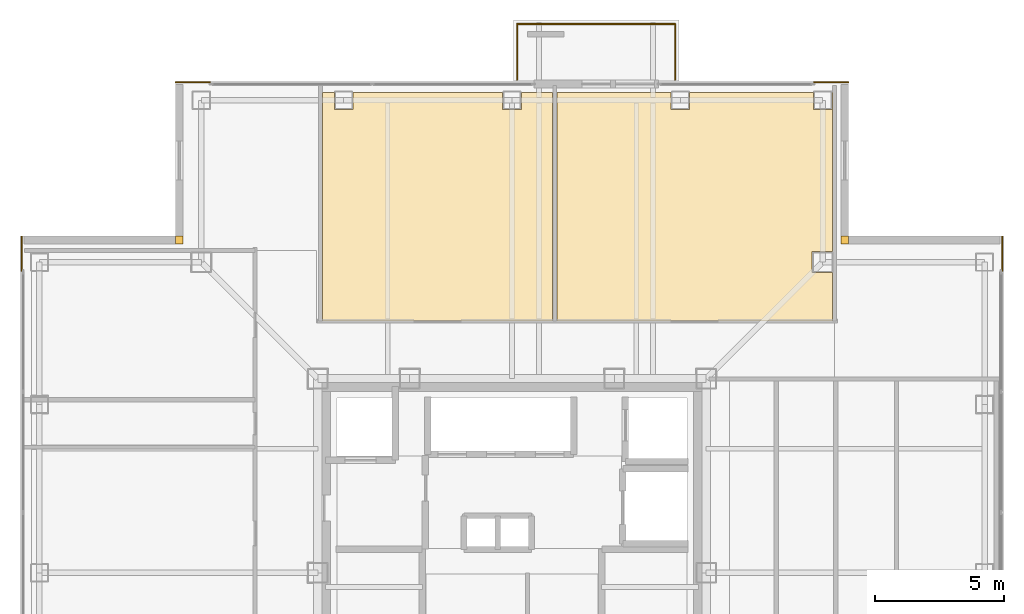
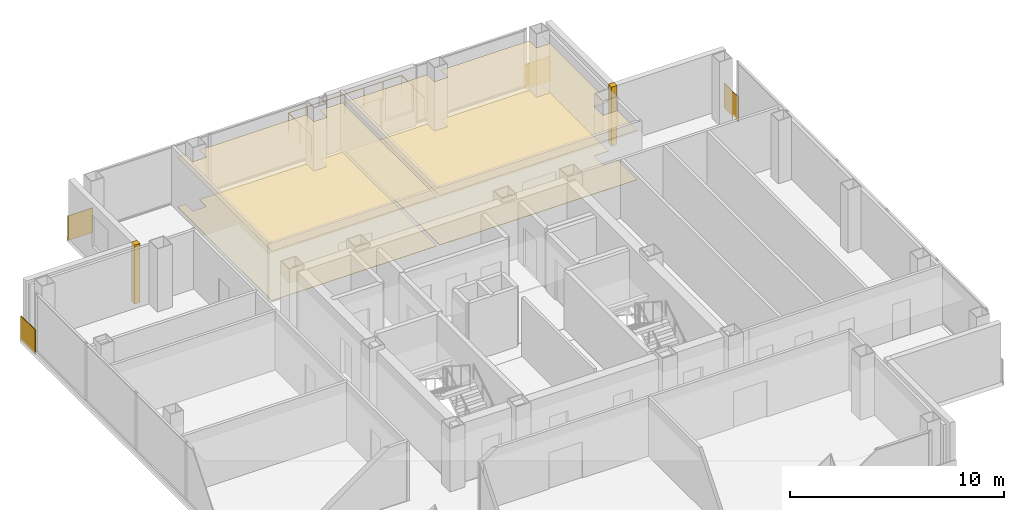
# One storey, part 15 of 15: 10 coverings, 3 railings.
"""IFC4 building model written with IfcOpenShell, lengths in metres."""

import ifcopenshell
import ifcopenshell.guid

model = None  # the IFC model being written
_history = None  # IfcOwnerHistory: only IFC2X3 demands one
_inside = {}  # id of a spatial element -> (the spatial element, [elements in it])
_under = {}  # id of a project, library or spatial element -> (it, [spatial elements below it])
_declared = {}  # id of a project -> (the project, [libraries it declares])
_typed = {}  # id of a type object -> (the type object, [elements of that type])
_made_of = {}  # id of a material, layer set ... -> (it, [elements and type objects made of it])


def new_model(schema):
    """Start an empty IFC model of exactly this schema.

    Asked for "IFC4X3", IfcOpenShell would pick the latest addendum, in which some entities
    have other attributes; the version numbers below select the first issue.
    IFC2X3 requires an IfcOwnerHistory on every rooted entity: one is made here for all.
    """
    global model, _history
    if schema == "IFC4X3":
        model = ifcopenshell.file(schema_version=(4, 3, 0, 0))
    else:
        model = ifcopenshell.file(schema=schema)
    _inside.clear()
    _under.clear()
    _declared.clear()
    _typed.clear()
    _made_of.clear()
    _history = None
    if model.schema == "IFC2X3":
        org = make("IfcOrganization", Name="unknown")
        user = make(
            "IfcPersonAndOrganization",
            ThePerson=make("IfcPerson", FamilyName="unknown"),
            TheOrganization=org,
        )
        app = make(
            "IfcApplication",
            ApplicationDeveloper=org,
            Version="unknown",
            ApplicationFullName="unknown",
            ApplicationIdentifier="unknown",
        )
        _history = make(
            "IfcOwnerHistory",
            OwningUser=user,
            OwningApplication=app,
            ChangeAction="ADDED",
            CreationDate=0,
        )
    return model


def make(cls, **values):
    """One entity of the class cls with the attributes given. An attribute that is None is left unset."""
    return model.create_entity(
        cls, **{name: value for name, value in values.items() if value is not None}
    )


def rooted(cls, **values):
    """An entity with a GlobalId (a new one), such as an element, a storey or a relation."""
    return make(cls, GlobalId=ifcopenshell.guid.new(), OwnerHistory=_history, **values)


def si_unit(unit_type, name, prefix=None):
    """IfcSIUnit, for example si_unit("LENGTHUNIT", "METRE", prefix="MILLI")."""
    return make("IfcSIUnit", UnitType=unit_type, Prefix=prefix, Name=name)


def assignment(units):
    """IfcUnitAssignment: the units of a project."""
    return None if units is None else make("IfcUnitAssignment", Units=units)


def point(xyz):
    """IfcCartesianPoint."""
    return None if xyz is None else make("IfcCartesianPoint", Coordinates=xyz)


def direction(xyz):
    """IfcDirection."""
    return None if xyz is None else make("IfcDirection", DirectionRatios=xyz)


def frame(location, z_axis=None, x_axis=None):
    """IfcAxis2Placement3D, a coordinate frame: its origin and axes. An axis left out is left unset."""
    return make(
        "IfcAxis2Placement3D",
        Location=point(location),
        Axis=direction(z_axis),
        RefDirection=direction(x_axis),
    )


def frame_2d(location, x_axis=None):
    """IfcAxis2Placement2D, a coordinate frame in the plane: its origin and x axis."""
    return make(
        "IfcAxis2Placement2D", Location=point(location), RefDirection=direction(x_axis)
    )


def origin():
    """The frame at (0, 0, 0) with its axes left unset."""
    return frame((0.0, 0.0, 0.0))


def origin_2d():
    """The frame at (0, 0) in the plane with its x axis left unset."""
    return frame_2d((0.0, 0.0))


def place(relative_to, where):
    """IfcLocalPlacement: puts the frame where relative to a parent placement (None: the world)."""
    return make(
        "IfcLocalPlacement", PlacementRelTo=relative_to, RelativePlacement=where
    )


def context(
    kind, dimensions, precision=None, world=None, true_north=None, identifier=None
):
    """IfcGeometricRepresentationContext, for example the 3D "Model" context."""
    return make(
        "IfcGeometricRepresentationContext",
        ContextIdentifier=identifier,
        ContextType=kind,
        CoordinateSpaceDimension=dimensions,
        Precision=precision,
        WorldCoordinateSystem=world,
        TrueNorth=true_north,
    )


def subcontext(parent, identifier, kind, view, scale=None):
    """IfcGeometricRepresentationSubContext, for example "Body" below "Model"."""
    return make(
        "IfcGeometricRepresentationSubContext",
        ContextIdentifier=identifier,
        ContextType=kind,
        ParentContext=parent,
        TargetScale=scale,
        TargetView=view,
    )


def project(units=None, contexts=None):
    """IfcProject with its units and contexts."""
    return rooted(
        "IfcProject",
        Name="project",
        RepresentationContexts=contexts,
        UnitsInContext=assignment(units),
    )


def spatial(cls, under=None, at=None, **own):
    """A site, building, storey or space (cls), placed at a placement, below another one or the project."""
    s = rooted(cls, ObjectPlacement=at, **own)
    if under is not None:
        _under.setdefault(under.id(), (under, []))[1].append(s)
    return s


def polyline(points):
    """IfcPolyline through the points."""
    return make("IfcPolyline", Points=[point(p) for p in points])


def profile(cls, at=None, kind="AREA", **sizes):
    """A parametric profile (cls). Its sizes go by their IFC names, for example OverallWidth=200.0."""
    return make(cls, ProfileType=kind, Position=at, **sizes)


def rectangle(**sizes):
    """IfcRectangleProfileDef."""
    return profile("IfcRectangleProfileDef", **sizes)


def circle(**sizes):
    """IfcCircleProfileDef."""
    return profile("IfcCircleProfileDef", **sizes)


def outline(outer, holes=None, kind="AREA"):
    """IfcArbitraryClosedProfileDef: a profile drawn as a closed curve; with holes, ...WithVoids."""
    if holes is None:
        return make("IfcArbitraryClosedProfileDef", ProfileType=kind, OuterCurve=outer)
    return make(
        "IfcArbitraryProfileDefWithVoids",
        ProfileType=kind,
        OuterCurve=outer,
        InnerCurves=holes,
    )


def extrude(swept, where, along, depth):
    """IfcExtrudedAreaSolid: the profile swept, set in the frame where, extruded along a direction by depth."""
    return make(
        "IfcExtrudedAreaSolid",
        SweptArea=swept,
        Position=where,
        ExtrudedDirection=direction(along),
        Depth=depth,
    )


def shape(context_of_items, identifier, shape_type, items):
    """IfcShapeRepresentation: the items that make up one representation, for example the "Body"."""
    return make(
        "IfcShapeRepresentation",
        ContextOfItems=context_of_items,
        RepresentationIdentifier=identifier,
        RepresentationType=shape_type,
        Items=items,
    )


def material(Name=None, Category=None):
    """IfcMaterial."""
    return make("IfcMaterial", Name=Name, Category=Category)


def layer(
    of_material, thickness, ventilated=None, Name=None, Category=None, Priority=None
):
    """IfcMaterialLayer: one layer of a wall or slab, of a material (None: an air gap)."""
    return make(
        "IfcMaterialLayer",
        Material=of_material,
        LayerThickness=thickness,
        IsVentilated=ventilated,
        Name=Name,
        Category=Category,
        Priority=Priority,
    )


def layer_set(layers, Name=None):
    """IfcMaterialLayerSet."""
    return make("IfcMaterialLayerSet", MaterialLayers=layers, LayerSetName=Name)


def made_of(thing, what):
    """Note that an element or type object is made of a material, layer set ...; save() writes the relation."""
    if what is not None:
        _made_of.setdefault(what.id(), (what, []))[1].append(thing)
    return thing


def type_object(cls, material=None, **own):
    """A type object (cls), such as IfcWallType, which elements share."""
    return made_of(rooted(cls, **own), material)


def element(
    cls,
    number,
    at=None,
    inside=None,
    cuts=None,
    type_object=None,
    material=None,
    context=None,
    identifier="Body",
    shape_type=None,
    held_by="IfcProductDefinitionShape",
    body=None,
    shapes=None,
    **own,
):
    """One element of the class cls, such as IfcWall. Its Tag is "e" and its number.

    at: its placement. inside: the storey or other place that contains it. cuts: it is an
    opening in that element (IfcRelVoidsElement). A single representation is given by context,
    identifier, shape_type and body (its items); several are given by shapes. held_by: the class
    of the entity that holds the representations. save() writes the other relations.
    """
    e = rooted(cls, Tag="e%d" % number, ObjectPlacement=at, **own)
    if body is not None:
        shapes = [shape(context, identifier, shape_type, body)]
    if shapes is not None:
        e.Representation = make(held_by, Representations=shapes)
    if inside is not None:
        _inside.setdefault(inside.id(), (inside, []))[1].append(e)
    if cuts is not None:
        rooted(
            "IfcRelVoidsElement", RelatingBuildingElement=cuts, RelatedOpeningElement=e
        )
    if type_object is not None:
        _typed.setdefault(type_object.id(), (type_object, []))[1].append(e)
    return made_of(e, material)


def aggregate(whole, parts):
    """IfcRelAggregates: a whole, such as a stair, and the parts it consists of."""
    return rooted("IfcRelAggregates", RelatingObject=whole, RelatedObjects=parts)


def save(model, path):
    """Write the relations noted so far, then the file.

    IfcRelAggregates (storeys below a building ...), IfcRelContainedInSpatialStructure (elements
    in a storey), IfcRelDefinesByType, IfcRelAssociatesMaterial and IfcRelDeclares: one each for
    every whole, place, type object, material and project.
    """
    for whole, parts in _under.values():
        aggregate(whole, parts)
    for where, things in _inside.values():
        rooted(
            "IfcRelContainedInSpatialStructure",
            RelatedElements=things,
            RelatingStructure=where,
        )
    for kind, things in _typed.values():
        rooted("IfcRelDefinesByType", RelatedObjects=things, RelatingType=kind)
    for what, things in _made_of.values():
        rooted("IfcRelAssociatesMaterial", RelatedObjects=things, RelatingMaterial=what)
    for by, libraries in _declared.values():
        rooted("IfcRelDeclares", RelatingContext=by, RelatedDefinitions=libraries)
    model.write(path)


model = new_model("IFC4")

# Units and contexts
model_context = context("Model", 3, precision=1e-05, world=origin(), true_north=direction((0.0, 1.0)))
body_context = subcontext(model_context, "Body", "Model", "MODEL_VIEW")
ifc_project = project(units=[si_unit("LENGTHUNIT", "METRE"), si_unit("AREAUNIT", "SQUARE_METRE"), si_unit("VOLUMEUNIT", "CUBIC_METRE"), si_unit("PLANEANGLEUNIT", "RADIAN"), si_unit("MASSUNIT", "GRAM", prefix="KILO")], contexts=[model_context])

# Site, building, storey
site_placement = place(None, origin())
site = spatial("IfcSite", under=ifc_project, at=site_placement, CompositionType="ELEMENT")
building_placement = place(site_placement, origin())
building = spatial("IfcBuilding", under=site, at=building_placement, Name="Trevonay Congress Spire", CompositionType="ELEMENT")
storey_placement = place(building_placement, frame((0.0, 0.0, 275.60009765625)))
storey = spatial("IfcBuildingStorey", under=building, at=storey_placement, Name="L72", CompositionType="ELEMENT", Elevation=275.60009765625)

# Coverings
ifc_material_1 = material(Name="Acoustic Mineral Fibre Board", Category="gypsum")
ifc_layer_1 = layer(ifc_material_1, 0.02490234375, Name="Acoustic Mineral Fibre Board")
ifc_layer_set_1 = layer_set([ifc_layer_1], Name="Acoustic Mineral Fibre Board")
covering_type_1 = type_object("IfcCoveringType", Name="COV-CEIL-ACOUSTIC", PredefinedType="CEILING", material=ifc_layer_set_1)
covering_1_placement = place(storey_placement, frame((0.0, 0.0, 2.809814453125)))
element("IfcCovering", 1, at=covering_1_placement, inside=storey, type_object=covering_type_1, Name="L72 Partner Dining Room acoustic suspended ceiling", PredefinedType="CEILING", context=body_context, shape_type="SweptSolid", body=[
    extrude(outline(polyline([(1.570068359375, 18.550048828125), (1.570068359375, 9.72998046875), (-7.320068359375, 9.72998046875), (-7.320068359375, 18.550048828125), (-6.860107421875, 18.550048828125), (-6.860107421875, 17.889892578125), (-6.139892578125, 17.889892578125), (-6.139892578125, 18.550048828125), (-0.360107421875, 18.550048828125), (-0.360107421875, 17.889892578125), (0.360107421875, 17.889892578125), (0.360107421875, 18.550048828125), (1.570068359375, 18.550048828125)])), origin(), (0.0, 0.0, 1.0), 0.025146484375),
])
covering_2_placement = place(storey_placement, frame((0.0, 0.0, 2.809814453125)))
element("IfcCovering", 2, at=covering_2_placement, inside=storey, type_object=covering_type_1, Name="L72 Finishing Pantry Kitchen acoustic suspended ceiling", PredefinedType="CEILING", context=body_context, shape_type="SweptSolid", body=[
    extrude(outline(polyline([(12.3701171875, 9.72998046875), (1.72998046875, 9.72998046875), (1.72998046875, 18.550048828125), (6.139892578125, 18.550048828125), (6.139892578125, 17.889892578125), (6.860107421875, 17.889892578125), (6.860107421875, 18.550048828125), (11.639892578125, 18.550048828125), (11.639892578125, 17.889892578125), (12.360107421875, 17.889892578125), (12.360107421875, 18.550048828125), (12.3701171875, 18.550048828125), (12.3701171875, 12.409912109375), (11.590087890625, 12.409912109375), (11.590087890625, 11.590087890625), (12.3701171875, 11.590087890625), (12.3701171875, 9.72998046875)])), origin(), (0.0, 0.0, 1.0), 0.025146484375),
])
ifc_material_2 = material(Name="Polished Granite Floor Tile", Category="masonry")
ifc_layer_2 = layer(ifc_material_2, 0.02001953125, Name="Polished Granite Floor Tile")
ifc_layer_set_2 = layer_set([ifc_layer_2], Name="Polished Granite Floor Tile")
covering_type_2 = type_object("IfcCoveringType", Name="COV-FLOOR-STONE", PredefinedType="FLOORING", material=ifc_layer_set_2)
covering_3_placement = place(storey_placement, origin())
element("IfcCovering", 3, at=covering_3_placement, inside=storey, type_object=covering_type_2, Name="L72 Partner Dining Room floor finish", PredefinedType="FLOORING", context=body_context, shape_type="SweptSolid", body=[
    extrude(outline(polyline([(1.570068359375, 18.550048828125), (1.570068359375, 9.72998046875), (-7.320068359375, 9.72998046875), (-7.320068359375, 18.550048828125), (-6.860107421875, 18.550048828125), (-6.860107421875, 17.889892578125), (-6.139892578125, 17.889892578125), (-6.139892578125, 18.550048828125), (-0.360107421875, 18.550048828125), (-0.360107421875, 17.889892578125), (0.360107421875, 17.889892578125), (0.360107421875, 18.550048828125), (1.570068359375, 18.550048828125)])), origin(), (0.0, 0.0, 1.0), 0.02001953125),
])
covering_4_placement = place(storey_placement, origin())
element("IfcCovering", 4, at=covering_4_placement, inside=storey, type_object=covering_type_2, Name="L72 Finishing Pantry Kitchen floor finish", PredefinedType="FLOORING", context=body_context, shape_type="SweptSolid", body=[
    extrude(outline(polyline([(12.3701171875, 9.72998046875), (1.72998046875, 9.72998046875), (1.72998046875, 18.550048828125), (6.139892578125, 18.550048828125), (6.139892578125, 17.889892578125), (6.860107421875, 17.889892578125), (6.860107421875, 18.550048828125), (11.639892578125, 18.550048828125), (11.639892578125, 17.889892578125), (12.360107421875, 17.889892578125), (12.360107421875, 18.550048828125), (12.3701171875, 18.550048828125), (12.3701171875, 12.409912109375), (11.590087890625, 12.409912109375), (11.590087890625, 11.590087890625), (12.3701171875, 11.590087890625), (12.3701171875, 9.72998046875)])), origin(), (0.0, 0.0, 1.0), 0.02001953125),
])
ifc_material_3 = material(Name="Pale Anodised Aluminium EN AW-6063-T6", Category="aluminium")
ifc_layer_3 = layer(ifc_material_3, 0.0400390625, Name="Pale Anodised Aluminium EN AW-6063-T6")
ifc_layer_set_3 = layer_set([ifc_layer_3], Name="Pale Anodised Aluminium EN AW-6063-T6")
covering_type_3 = type_object("IfcCoveringType", Name="COV-SPANDREL-PALE-METAL", PredefinedType="CLADDING", material=ifc_layer_set_3)
covering_5_placement = place(storey_placement, origin())
element("IfcCovering", 5, at=covering_5_placement, inside=storey, type_object=covering_type_3, Name="L72 NE re-entrant notch corner closure trim", PredefinedType="CLADDING", context=body_context, shape_type="SweptSolid", body=[
    extrude(outline(polyline([(12.699951171875, 12.699951171875), (13.0, 12.699951171875), (13.0, 13.0), (12.699951171875, 13.0), (12.699951171875, 12.699951171875)])), origin(), (0.0, 0.0, 1.0), 3.35986328125),
])
for number, where, z_axis, x_axis, name in (
    (6, (18.93994140625, 11.64990234375, -0.150146484375), (0.0, 0.0, 1.0), (0.0, 1.0, 0.0), "L72 NE corner pier spandrel cladding 1"),
    (7, (11.64990234375, 18.93994140625, -0.150146484375), (0.0, 0.0, 1.0), (1.0, 0.0, 0.0), "L72 NE corner pier spandrel cladding 2"),
):
    element("IfcCovering", number, at=place(storey_placement, frame(where, z_axis=z_axis, x_axis=x_axis)), inside=storey, type_object=covering_type_3, Name=name, PredefinedType="CLADDING", context=body_context, shape_type="SweptSolid", body=[
        extrude(rectangle(XDim=1.35009765625, YDim=0.0400390625, at=frame_2d((0.675048828125, 0.0))), origin(), (0.0, 0.0, 1.0), 1.400146484375),
    ])
covering_6_placement = place(storey_placement, origin())
element("IfcCovering", 8, at=covering_6_placement, inside=storey, type_object=covering_type_3, Name="L72 NW re-entrant notch corner closure trim", PredefinedType="CLADDING", context=body_context, shape_type="SweptSolid", body=[
    extrude(outline(polyline([(-13.0, 12.699951171875), (-12.699951171875, 12.699951171875), (-12.699951171875, 13.0), (-13.0, 13.0), (-13.0, 12.699951171875)])), origin(), (0.0, 0.0, 1.0), 3.35986328125),
])
for number, where, z_axis, x_axis, name in (
    (9, (-18.93994140625, 11.64990234375, -0.150146484375), (0.0, 0.0, 1.0), (0.0, 1.0, 0.0), "L72 NW corner pier spandrel cladding 1"),
    (10, (-11.64990234375, 18.93994140625, -0.150146484375), (0.0, 0.0, 1.0), (-1.0, 0.0, 0.0), "L72 NW corner pier spandrel cladding 2"),
):
    element("IfcCovering", number, at=place(storey_placement, frame(where, z_axis=z_axis, x_axis=x_axis)), inside=storey, type_object=covering_type_3, Name=name, PredefinedType="CLADDING", context=body_context, shape_type="SweptSolid", body=[
        extrude(rectangle(XDim=1.35009765625, YDim=0.0400390625, at=frame_2d((0.675048828125, 0.0))), origin(), (0.0, 0.0, 1.0), 1.400146484375),
    ])

# Railings
railing_type = type_object("IfcRailingType", Name="RAL-EXT-GUARD-115", PredefinedType="GUARDRAIL", material=ifc_material_3)
railing_1_placement = place(storey_placement, frame((0.199951171875, 19.050048828125, 0.0)))
element("IfcRailing", 11, at=railing_1_placement, inside=storey, type_object=railing_type, Name="L72 perimeter safety guard GRD-L72-TBAL-N-1", PredefinedType="GUARDRAIL", context=body_context, shape_type="SweptSolid", body=[
    extrude(circle(Radius=0.02392578125, at=origin_2d()), frame((0.0, 0.0, 1.1259765625), z_axis=(0.0, 1.0, 0.0), x_axis=(-1.0, 0.0, 0.0)), (0.0, 0.0, 1.0), 2.14990234375),
    extrude(circle(Radius=0.02099609375, at=origin_2d()), origin(), (0.0, 0.0, 1.0), 1.101806640625),
    extrude(circle(Radius=0.02099609375, at=origin_2d()), frame((0.0, 1.074951171875, 0.0)), (0.0, 0.0, 1.0), 1.101806640625),
    extrude(circle(Radius=0.02099609375, at=origin_2d()), frame((0.0, 2.14990234375, 0.0)), (0.0, 0.0, 1.0), 1.101806640625),
])
railing_2_placement = place(storey_placement, frame((0.199951171875, 21.199951171875, 0.0)))
element("IfcRailing", 12, at=railing_2_placement, inside=storey, type_object=railing_type, Name="L72 perimeter safety guard GRD-L72-TBAL-N-2", PredefinedType="GUARDRAIL", context=body_context, shape_type="SweptSolid", body=[
    extrude(circle(Radius=0.02392578125, at=origin_2d()), frame((0.0, 0.0, 1.1259765625), z_axis=(1.0, 0.0, 0.0), x_axis=(0.0, 1.0, 0.0)), (0.0, 0.0, 1.0), 6.10009765625),
    extrude(circle(Radius=0.02099609375, at=origin_2d()), origin(), (0.0, 0.0, 1.0), 1.101806640625),
    extrude(circle(Radius=0.02099609375, at=origin_2d()), frame((1.0166015625, 0.0, 0.0)), (0.0, 0.0, 1.0), 1.101806640625),
    extrude(circle(Radius=0.02099609375, at=origin_2d()), frame((2.033447265625, 0.0, 0.0)), (0.0, 0.0, 1.0), 1.101806640625),
    extrude(circle(Radius=0.02099609375, at=origin_2d()), frame((3.050048828125, 0.0, 0.0)), (0.0, 0.0, 1.0), 1.101806640625),
    extrude(circle(Radius=0.02099609375, at=origin_2d()), frame((4.066650390625, 0.0, 0.0)), (0.0, 0.0, 1.0), 1.101806640625),
    extrude(circle(Radius=0.02099609375, at=origin_2d()), frame((5.08349609375, 0.0, 0.0)), (0.0, 0.0, 1.0), 1.101806640625),
    extrude(circle(Radius=0.02099609375, at=origin_2d()), frame((6.10009765625, 0.0, 0.0)), (0.0, 0.0, 1.0), 1.101806640625),
])
railing_3_placement = place(storey_placement, frame((6.300048828125, 21.199951171875, 0.0)))
element("IfcRailing", 13, at=railing_3_placement, inside=storey, type_object=railing_type, Name="L72 perimeter safety guard GRD-L72-TBAL-N-3", PredefinedType="GUARDRAIL", context=body_context, shape_type="SweptSolid", body=[
    extrude(circle(Radius=0.02392578125, at=origin_2d()), frame((0.0, 0.0, 1.1259765625), z_axis=(0.0, -1.0, 0.0), x_axis=(1.0, 0.0, 0.0)), (0.0, 0.0, 1.0), 2.14990234375),
    extrude(circle(Radius=0.02099609375, at=origin_2d()), origin(), (0.0, 0.0, 1.0), 1.101806640625),
    extrude(circle(Radius=0.02099609375, at=origin_2d()), frame((0.0, -1.074951171875, 0.0)), (0.0, 0.0, 1.0), 1.101806640625),
    extrude(circle(Radius=0.02099609375, at=origin_2d()), frame((0.0, -2.14990234375, 0.0)), (0.0, 0.0, 1.0), 1.101806640625),
])

save(model, "model.ifc")
